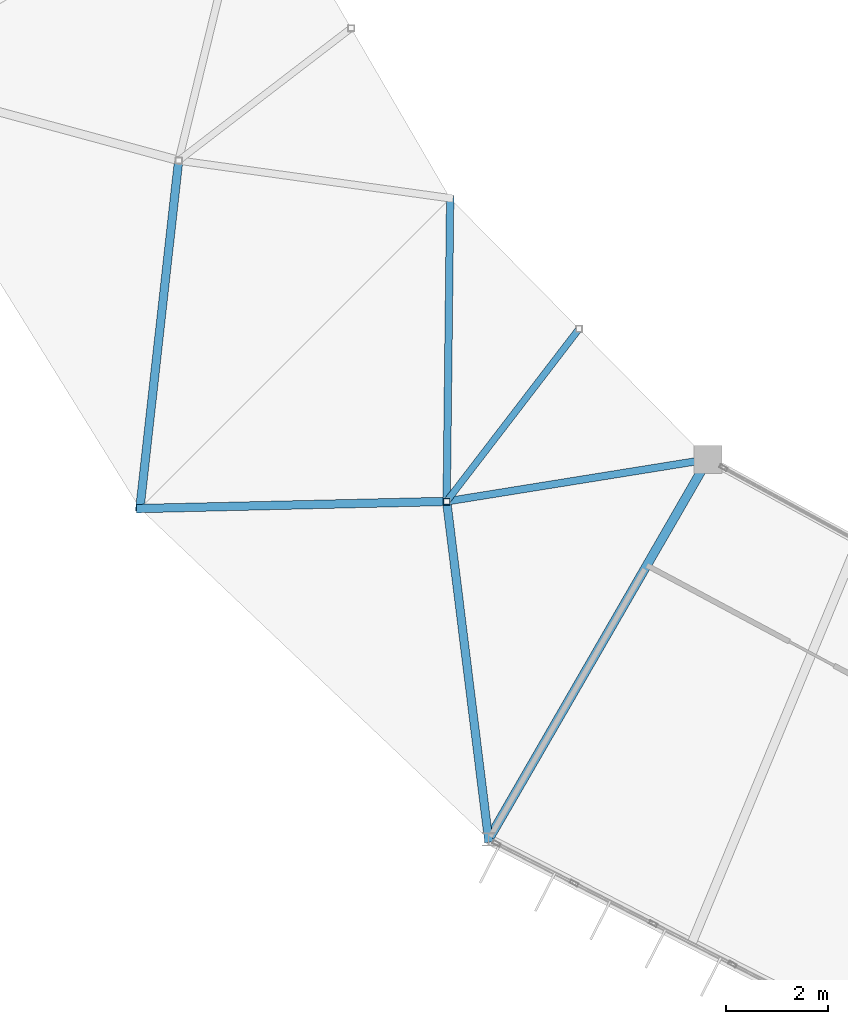
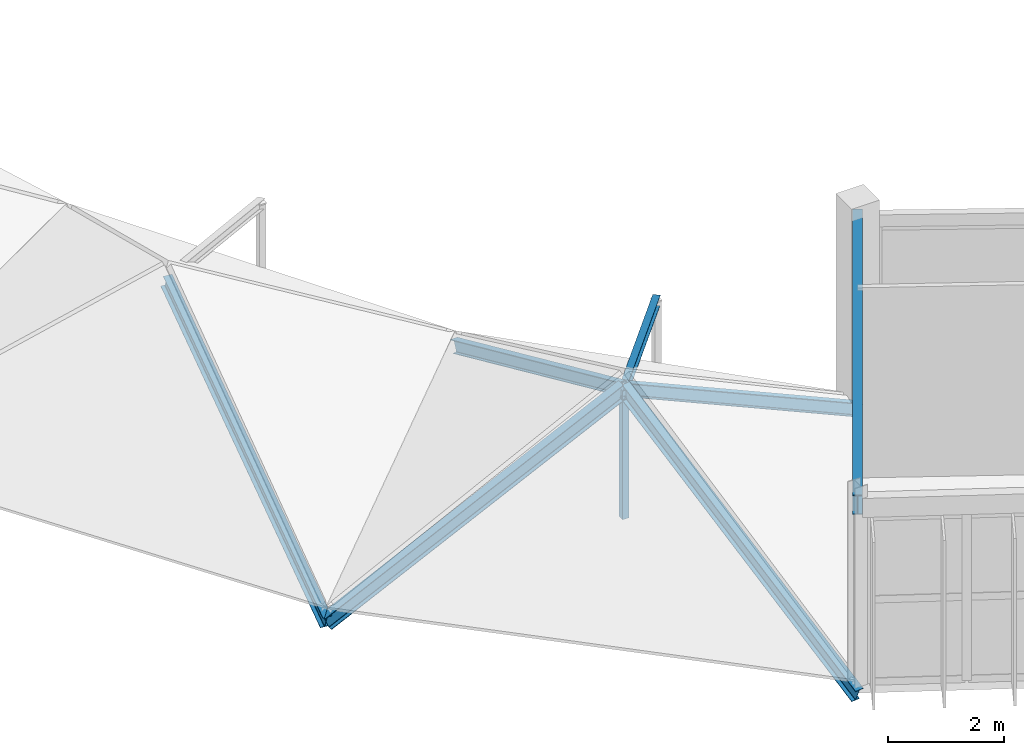
# One storey, part 21 of 106: 7 members, 1 beam.
"""IFC4 building model written with IfcOpenShell, lengths in metres."""

from ifc_helpers import new_model, si_unit, direction, frame, origin, origin_2d, place, context, subcontext, project, spatial, hollow_rectangle, i_section, extrude, material, material_profile, profile_set, type_object, element, save


model = new_model("IFC4")

# Units and contexts
model_context = context("Model", 3, precision=1e-05, world=origin(), true_north=direction((0.0, 1.0)))
body_context = subcontext(model_context, "Body", "Model", "MODEL_VIEW")
ifc_project = project(units=[si_unit("LENGTHUNIT", "METRE"), si_unit("AREAUNIT", "SQUARE_METRE"), si_unit("VOLUMEUNIT", "CUBIC_METRE"), si_unit("PLANEANGLEUNIT", "RADIAN"), si_unit("MASSUNIT", "GRAM", prefix="KILO")], contexts=[model_context])

# Site, building, storey
site_placement = place(None, origin())
site = spatial("IfcSite", under=ifc_project, at=site_placement, CompositionType="ELEMENT")
building_placement = place(site_placement, origin())
building = spatial("IfcBuilding", under=site, at=building_placement, Name="Karori Crest Natural Sciences Institute", CompositionType="ELEMENT")
storey_placement = place(building_placement, frame((0.0, 0.0, 25.89990234375)))
storey = spatial("IfcBuildingStorey", under=building, at=storey_placement, Name="L06", CompositionType="ELEMENT", Elevation=25.89990234375)

# Beam
ifc_material_1 = material(Name="Structural steel AS/NZS 3679.1 Grade 350", Category="steel")
ifc_material_profile_1 = material_profile(ifc_material_1, i_section(OverallWidth=0.177978515625, OverallDepth=0.406005859375, WebThickness=0.0078125, FlangeThickness=0.0126953125, FilletRadius=0.010986328125, at=origin_2d()), Name="410UB59.7")
ifc_profile_set_1 = profile_set([ifc_material_profile_1], Name="Structural steel AS/NZS 3679.1 Grade 350")
beam_type = type_object("IfcBeamType", Name="BT-07", PredefinedType="BEAM", material=ifc_profile_set_1)
beam_placement = place(storey_placement, frame((54.199951171875, 22.013916015625, 3.739990234375), z_axis=(-0.500007509209, -0.866021068297, 0.0), x_axis=(0.866021068297, -0.500007509209, 0.0)))
element("IfcBeam", 1, at=beam_placement, inside=storey, type_object=beam_type, Name="Beam B-0694", PredefinedType="BEAM", context=body_context, shape_type="SweptSolid", body=[
    extrude(i_section(OverallWidth=0.177978515625, OverallDepth=0.406005859375, WebThickness=0.0078125, FlangeThickness=0.0126953125, FilletRadius=0.010986328125, at=origin_2d()), origin(), (0.0, 0.0, 1.0), 8.599853515625),
])

# Members
ifc_material_profile_2 = material_profile(ifc_material_1, i_section(OverallWidth=0.166015625, OverallDepth=0.306884765625, WebThickness=0.006591796875, FlangeThickness=0.01171875, FilletRadius=0.010986328125, at=origin_2d()), Name="310UB46.2")
ifc_profile_set_2 = profile_set([ifc_material_profile_2], Name="Structural steel AS/NZS 3679.1 Grade 350")
member_type_1 = type_object("IfcMemberType", Name="MT-06", PredefinedType="RAFTER", material=ifc_profile_set_2)
member_1_placement = place(storey_placement, frame((43.0654296875, 21.050048828125, -0.260009765625), z_axis=(0.102645969888, 0.92084708246, 0.37617077982), x_axis=(-0.993844625972, 0.110782938333, 0.0)))
element("IfcMember", 2, at=member_1_placement, inside=storey, type_object=member_type_1, Name="Member M-0130", PredefinedType="RAFTER", context=body_context, shape_type="SweptSolid", body=[
    extrude(i_section(OverallWidth=0.166015625, OverallDepth=0.306884765625, WebThickness=0.006591796875, FlangeThickness=0.01171875, FilletRadius=0.010986328125, at=origin_2d()), origin(), (0.0, 0.0, 1.0), 7.406494140625),
])
member_2_placement = place(storey_placement, frame((43.0654296875, 21.050048828125, -0.260009765625), z_axis=(0.910773883604, 0.02126507423, 0.412357526381), x_axis=(-0.023341995965, 0.999727538495, 0.0)))
element("IfcMember", 3, at=member_2_placement, inside=storey, type_object=member_type_1, Name="Member M-0136", PredefinedType="RAFTER", context=body_context, shape_type="SweptSolid", body=[
    extrude(i_section(OverallWidth=0.166015625, OverallDepth=0.306884765625, WebThickness=0.006591796875, FlangeThickness=0.01171875, FilletRadius=0.010986328125, at=origin_2d()), origin(), (0.0, 0.0, 1.0), 6.6015625),
])
member_3_placement = place(storey_placement, frame((49.89990234375, 14.566162109375, -0.260009765625), z_axis=(-0.114030234978, 0.918913681512, 0.377617202258), x_axis=(-0.992388330701, -0.123147883001, 0.0)))
element("IfcMember", 4, at=member_3_placement, inside=storey, type_object=member_type_1, Name="Member M-0137", PredefinedType="RAFTER", context=body_context, shape_type="SweptSolid", body=[
    extrude(i_section(OverallWidth=0.166015625, OverallDepth=0.306884765625, WebThickness=0.006591796875, FlangeThickness=0.01171875, FilletRadius=0.010986328125, at=origin_2d()), origin(), (0.0, 0.0, 1.0), 7.208740234375),
])
ifc_material_profile_3 = material_profile(ifc_material_1, i_section(OverallWidth=0.14599609375, OverallDepth=0.256103515625, WebThickness=0.00634765625, FlangeThickness=0.010986328125, FilletRadius=0.009033203125, at=origin_2d()), Name="250UB37.3")
ifc_profile_set_3 = profile_set([ifc_material_profile_3], Name="Structural steel AS/NZS 3679.1 Grade 350")
member_type_2 = type_object("IfcMemberType", Name="MT-07", PredefinedType="RAFTER", material=ifc_profile_set_3)
member_4_placement = place(storey_placement, frame((49.146484375, 27.131103515625, -0.260009765625), z_axis=(-0.010497825, -0.909051870872, 0.416550707279), x_axis=(0.999933327322, -0.011547333456, 0.0)))
element("IfcMember", 5, at=member_4_placement, inside=storey, type_object=member_type_2, Name="Member M-0138", PredefinedType="RAFTER", context=body_context, shape_type="SweptSolid", body=[
    extrude(i_section(OverallWidth=0.14599609375, OverallDepth=0.256103515625, WebThickness=0.00634765625, FlangeThickness=0.010986328125, FilletRadius=0.009033203125, at=origin_2d()), origin(), (0.0, 0.0, 1.0), 6.534912109375),
])
member_5_placement = place(storey_placement, frame((54.199951171875, 22.013916015625, -0.260009765625), z_axis=(-0.874272899555, -0.140558745958, 0.464639791708), x_axis=(0.158733800744, -0.987321417018, 0.0)))
element("IfcMember", 6, at=member_5_placement, inside=storey, type_object=member_type_2, Name="Member M-0139", PredefinedType="RAFTER", context=body_context, shape_type="SweptSolid", body=[
    extrude(i_section(OverallWidth=0.14599609375, OverallDepth=0.256103515625, WebThickness=0.00634765625, FlangeThickness=0.010986328125, FilletRadius=0.009033203125, at=origin_2d()), origin(), (0.0, 0.0, 1.0), 5.858642578125),
])
ifc_material_profile_4 = material_profile(ifc_material_1, i_section(OverallWidth=0.133056640625, OverallDepth=0.202880859375, WebThickness=0.005859375, FlangeThickness=0.0078125, FilletRadius=0.009033203125, at=origin_2d()), Name="200UB25.4")
ifc_profile_set_4 = profile_set([ifc_material_profile_4], Name="Structural steel AS/NZS 3679.1 Grade 350")
member_type_3 = type_object("IfcMemberType", Name="MT-09", PredefinedType="PURLIN", material=ifc_profile_set_4)
member_6_placement = place(storey_placement, frame((51.67333984375, 24.572509765625, 1.356201171875), z_axis=(-0.589298772586, -0.767901034394, 0.251107463062), x_axis=(0.793319617662, -0.608805374674, 0.0)))
element("IfcMember", 7, at=member_6_placement, inside=storey, type_object=member_type_3, Name="Member M-0140", PredefinedType="PURLIN", context=body_context, shape_type="SweptSolid", body=[
    extrude(i_section(OverallWidth=0.133056640625, OverallDepth=0.202880859375, WebThickness=0.005859375, FlangeThickness=0.0078125, FilletRadius=0.009033203125, at=origin_2d()), origin(), (0.0, 0.0, 1.0), 4.404296875),
])
ifc_material_2 = material(Name="Hollow structural steel AS/NZS 1163 Grade C350", Category="steel")
ifc_material_profile_5 = material_profile(ifc_material_2, hollow_rectangle(XDim=0.125, YDim=0.125, WallThickness=0.006103515625, at=origin_2d()), Name="SHS125x125x6")
ifc_profile_set_5 = profile_set([ifc_material_profile_5], Name="Hollow structural steel AS/NZS 1163 Grade C350")
member_type_4 = type_object("IfcMemberType", Name="MT-20", PredefinedType="STRUT", material=ifc_profile_set_5)
member_7_placement = place(storey_placement, frame((49.077880859375, 21.1904296875, -0.244873046875), z_axis=(0.0, 0.0, 1.0), x_axis=(1.0, 0.0, 0.0)))
element("IfcMember", 8, at=member_7_placement, inside=storey, type_object=member_type_4, Name="Member M-0134", PredefinedType="STRUT", context=body_context, shape_type="SweptSolid", body=[
    extrude(hollow_rectangle(XDim=0.125, YDim=0.125, WallThickness=0.006103515625, at=origin_2d()), origin(), (0.0, 0.0, 1.0), 2.70703125),
])

save(model, "model.ifc")
